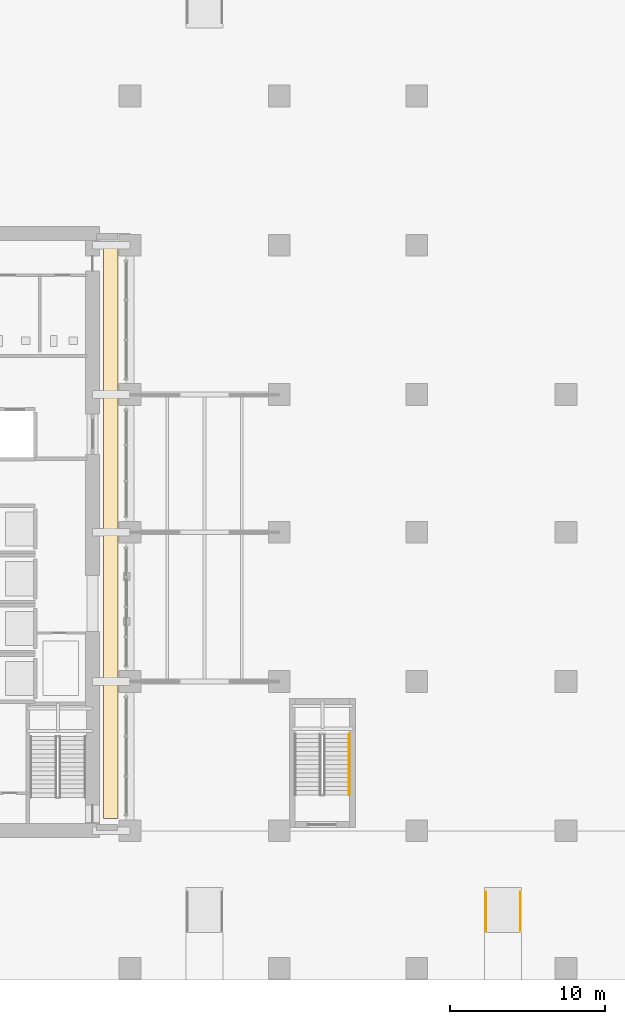
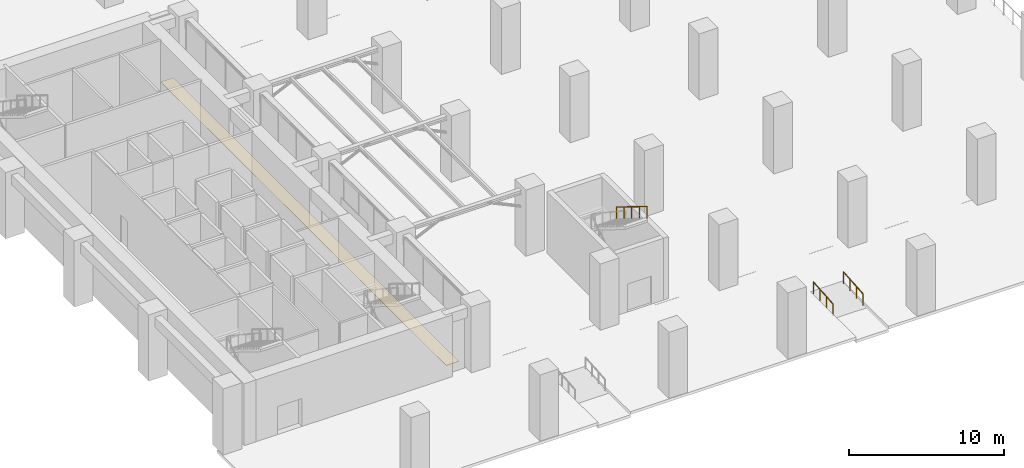
# One storey, part 18 of 24: 3 railings, 1 covering.
"""IFC4 building model written with IfcOpenShell, lengths in metres."""

import ifcopenshell
import ifcopenshell.guid

model = None  # the IFC model being written
_history = None  # IfcOwnerHistory: only IFC2X3 demands one
_inside = {}  # id of a spatial element -> (the spatial element, [elements in it])
_under = {}  # id of a project, library or spatial element -> (it, [spatial elements below it])
_declared = {}  # id of a project -> (the project, [libraries it declares])
_typed = {}  # id of a type object -> (the type object, [elements of that type])
_made_of = {}  # id of a material, layer set ... -> (it, [elements and type objects made of it])


def new_model(schema):
    """Start an empty IFC model of exactly this schema.

    Asked for "IFC4X3", IfcOpenShell would pick the latest addendum, in which some entities
    have other attributes; the version numbers below select the first issue.
    IFC2X3 requires an IfcOwnerHistory on every rooted entity: one is made here for all.
    """
    global model, _history
    if schema == "IFC4X3":
        model = ifcopenshell.file(schema_version=(4, 3, 0, 0))
    else:
        model = ifcopenshell.file(schema=schema)
    _inside.clear()
    _under.clear()
    _declared.clear()
    _typed.clear()
    _made_of.clear()
    _history = None
    if model.schema == "IFC2X3":
        org = make("IfcOrganization", Name="unknown")
        user = make(
            "IfcPersonAndOrganization",
            ThePerson=make("IfcPerson", FamilyName="unknown"),
            TheOrganization=org,
        )
        app = make(
            "IfcApplication",
            ApplicationDeveloper=org,
            Version="unknown",
            ApplicationFullName="unknown",
            ApplicationIdentifier="unknown",
        )
        _history = make(
            "IfcOwnerHistory",
            OwningUser=user,
            OwningApplication=app,
            ChangeAction="ADDED",
            CreationDate=0,
        )
    return model


def make(cls, **values):
    """One entity of the class cls with the attributes given. An attribute that is None is left unset."""
    return model.create_entity(
        cls, **{name: value for name, value in values.items() if value is not None}
    )


def rooted(cls, **values):
    """An entity with a GlobalId (a new one), such as an element, a storey or a relation."""
    return make(cls, GlobalId=ifcopenshell.guid.new(), OwnerHistory=_history, **values)


def si_unit(unit_type, name, prefix=None):
    """IfcSIUnit, for example si_unit("LENGTHUNIT", "METRE", prefix="MILLI")."""
    return make("IfcSIUnit", UnitType=unit_type, Prefix=prefix, Name=name)


def assignment(units):
    """IfcUnitAssignment: the units of a project."""
    return None if units is None else make("IfcUnitAssignment", Units=units)


def point(xyz):
    """IfcCartesianPoint."""
    return None if xyz is None else make("IfcCartesianPoint", Coordinates=xyz)


def direction(xyz):
    """IfcDirection."""
    return None if xyz is None else make("IfcDirection", DirectionRatios=xyz)


def frame(location, z_axis=None, x_axis=None):
    """IfcAxis2Placement3D, a coordinate frame: its origin and axes. An axis left out is left unset."""
    return make(
        "IfcAxis2Placement3D",
        Location=point(location),
        Axis=direction(z_axis),
        RefDirection=direction(x_axis),
    )


def frame_2d(location, x_axis=None):
    """IfcAxis2Placement2D, a coordinate frame in the plane: its origin and x axis."""
    return make(
        "IfcAxis2Placement2D", Location=point(location), RefDirection=direction(x_axis)
    )


def origin():
    """The frame at (0, 0, 0) with its axes left unset."""
    return frame((0.0, 0.0, 0.0))


def origin_2d():
    """The frame at (0, 0) in the plane with its x axis left unset."""
    return frame_2d((0.0, 0.0))


def place(relative_to, where):
    """IfcLocalPlacement: puts the frame where relative to a parent placement (None: the world)."""
    return make(
        "IfcLocalPlacement", PlacementRelTo=relative_to, RelativePlacement=where
    )


def context(
    kind, dimensions, precision=None, world=None, true_north=None, identifier=None
):
    """IfcGeometricRepresentationContext, for example the 3D "Model" context."""
    return make(
        "IfcGeometricRepresentationContext",
        ContextIdentifier=identifier,
        ContextType=kind,
        CoordinateSpaceDimension=dimensions,
        Precision=precision,
        WorldCoordinateSystem=world,
        TrueNorth=true_north,
    )


def subcontext(parent, identifier, kind, view, scale=None):
    """IfcGeometricRepresentationSubContext, for example "Body" below "Model"."""
    return make(
        "IfcGeometricRepresentationSubContext",
        ContextIdentifier=identifier,
        ContextType=kind,
        ParentContext=parent,
        TargetScale=scale,
        TargetView=view,
    )


def project(units=None, contexts=None):
    """IfcProject with its units and contexts."""
    return rooted(
        "IfcProject",
        Name="project",
        RepresentationContexts=contexts,
        UnitsInContext=assignment(units),
    )


def spatial(cls, under=None, at=None, **own):
    """A site, building, storey or space (cls), placed at a placement, below another one or the project."""
    s = rooted(cls, ObjectPlacement=at, **own)
    if under is not None:
        _under.setdefault(under.id(), (under, []))[1].append(s)
    return s


def polyline(points):
    """IfcPolyline through the points."""
    return make("IfcPolyline", Points=[point(p) for p in points])


def profile(cls, at=None, kind="AREA", **sizes):
    """A parametric profile (cls). Its sizes go by their IFC names, for example OverallWidth=200.0."""
    return make(cls, ProfileType=kind, Position=at, **sizes)


def circle(**sizes):
    """IfcCircleProfileDef."""
    return profile("IfcCircleProfileDef", **sizes)


def outline(outer, holes=None, kind="AREA"):
    """IfcArbitraryClosedProfileDef: a profile drawn as a closed curve; with holes, ...WithVoids."""
    if holes is None:
        return make("IfcArbitraryClosedProfileDef", ProfileType=kind, OuterCurve=outer)
    return make(
        "IfcArbitraryProfileDefWithVoids",
        ProfileType=kind,
        OuterCurve=outer,
        InnerCurves=holes,
    )


def extrude(swept, where, along, depth):
    """IfcExtrudedAreaSolid: the profile swept, set in the frame where, extruded along a direction by depth."""
    return make(
        "IfcExtrudedAreaSolid",
        SweptArea=swept,
        Position=where,
        ExtrudedDirection=direction(along),
        Depth=depth,
    )


def shape(context_of_items, identifier, shape_type, items):
    """IfcShapeRepresentation: the items that make up one representation, for example the "Body"."""
    return make(
        "IfcShapeRepresentation",
        ContextOfItems=context_of_items,
        RepresentationIdentifier=identifier,
        RepresentationType=shape_type,
        Items=items,
    )


def material(Name=None, Category=None):
    """IfcMaterial."""
    return make("IfcMaterial", Name=Name, Category=Category)


def layer(
    of_material, thickness, ventilated=None, Name=None, Category=None, Priority=None
):
    """IfcMaterialLayer: one layer of a wall or slab, of a material (None: an air gap)."""
    return make(
        "IfcMaterialLayer",
        Material=of_material,
        LayerThickness=thickness,
        IsVentilated=ventilated,
        Name=Name,
        Category=Category,
        Priority=Priority,
    )


def layer_set(layers, Name=None):
    """IfcMaterialLayerSet."""
    return make("IfcMaterialLayerSet", MaterialLayers=layers, LayerSetName=Name)


def made_of(thing, what):
    """Note that an element or type object is made of a material, layer set ...; save() writes the relation."""
    if what is not None:
        _made_of.setdefault(what.id(), (what, []))[1].append(thing)
    return thing


def type_object(cls, material=None, **own):
    """A type object (cls), such as IfcWallType, which elements share."""
    return made_of(rooted(cls, **own), material)


def element(
    cls,
    number,
    at=None,
    inside=None,
    cuts=None,
    type_object=None,
    material=None,
    context=None,
    identifier="Body",
    shape_type=None,
    held_by="IfcProductDefinitionShape",
    body=None,
    shapes=None,
    **own,
):
    """One element of the class cls, such as IfcWall. Its Tag is "e" and its number.

    at: its placement. inside: the storey or other place that contains it. cuts: it is an
    opening in that element (IfcRelVoidsElement). A single representation is given by context,
    identifier, shape_type and body (its items); several are given by shapes. held_by: the class
    of the entity that holds the representations. save() writes the other relations.
    """
    e = rooted(cls, Tag="e%d" % number, ObjectPlacement=at, **own)
    if body is not None:
        shapes = [shape(context, identifier, shape_type, body)]
    if shapes is not None:
        e.Representation = make(held_by, Representations=shapes)
    if inside is not None:
        _inside.setdefault(inside.id(), (inside, []))[1].append(e)
    if cuts is not None:
        rooted(
            "IfcRelVoidsElement", RelatingBuildingElement=cuts, RelatedOpeningElement=e
        )
    if type_object is not None:
        _typed.setdefault(type_object.id(), (type_object, []))[1].append(e)
    return made_of(e, material)


def aggregate(whole, parts):
    """IfcRelAggregates: a whole, such as a stair, and the parts it consists of."""
    return rooted("IfcRelAggregates", RelatingObject=whole, RelatedObjects=parts)


def save(model, path):
    """Write the relations noted so far, then the file.

    IfcRelAggregates (storeys below a building ...), IfcRelContainedInSpatialStructure (elements
    in a storey), IfcRelDefinesByType, IfcRelAssociatesMaterial and IfcRelDeclares: one each for
    every whole, place, type object, material and project.
    """
    for whole, parts in _under.values():
        aggregate(whole, parts)
    for where, things in _inside.values():
        rooted(
            "IfcRelContainedInSpatialStructure",
            RelatedElements=things,
            RelatingStructure=where,
        )
    for kind, things in _typed.values():
        rooted("IfcRelDefinesByType", RelatedObjects=things, RelatingType=kind)
    for what, things in _made_of.values():
        rooted("IfcRelAssociatesMaterial", RelatedObjects=things, RelatingMaterial=what)
    for by, libraries in _declared.values():
        rooted("IfcRelDeclares", RelatingContext=by, RelatedDefinitions=libraries)
    model.write(path)


model = new_model("IFC4")

# Units and contexts
model_context = context("Model", 3, precision=1e-05, world=origin(), true_north=direction((0.0, 1.0)))
body_context = subcontext(model_context, "Body", "Model", "MODEL_VIEW")
ifc_project = project(units=[si_unit("LENGTHUNIT", "METRE"), si_unit("AREAUNIT", "SQUARE_METRE"), si_unit("VOLUMEUNIT", "CUBIC_METRE"), si_unit("PLANEANGLEUNIT", "RADIAN"), si_unit("MASSUNIT", "GRAM", prefix="KILO")], contexts=[model_context])

# Site, building, storey
site_placement = place(None, origin())
site = spatial("IfcSite", under=ifc_project, at=site_placement, CompositionType="ELEMENT")
building_placement = place(site_placement, origin())
building = spatial("IfcBuilding", under=site, at=building_placement, Name="Norrvale University Quadrangle", CompositionType="ELEMENT")
storey_placement = place(building_placement, origin())
storey = spatial("IfcBuildingStorey", under=building, at=storey_placement, Name="L00", CompositionType="ELEMENT", Elevation=0.0)

# Covering
ifc_material_1 = material(Name="Polished Terrazzo Flooring")
ifc_layer = layer(ifc_material_1, 0.02490234375, Name="Polished Terrazzo Flooring")
ifc_layer_set = layer_set([ifc_layer], Name="Polished Terrazzo Flooring")
covering_type = type_object("IfcCoveringType", Name="Covering Terrazzo Floor 30", PredefinedType="FLOORING", material=ifc_layer_set)
covering_placement = place(storey_placement, origin())
element("IfcCovering", 1, at=covering_placement, inside=storey, type_object=covering_type, Name="Terrazzo Flooring RM-L00-CONC", PredefinedType="FLOORING", context=body_context, shape_type="SweptSolid", body=[
    extrude(outline(polyline([(17.5, 10.39990234375), (17.5, 47.199951171875), (18.449951171875, 47.199951171875), (18.449951171875, 10.39990234375), (17.5, 10.39990234375)])), origin(), (0.0, 0.0, 1.0), 0.02490234375),
])

# Railings
ifc_material_2 = material(Name="Stainless Steel 316L Handrail", Category="steel")
railing_type = type_object("IfcRailingType", Name="Railing Stair Handrail 920", PredefinedType="HANDRAIL", material=ifc_material_2)
for number, where, name in (
    (2, (42.080078125, 3.1201171875, -0.219970703125), "Accessible Plaza Ramp Handrail S2-L"),
    (3, (44.320068359375, 3.1201171875, -0.219970703125), "Accessible Plaza Ramp Handrail S2-R"),
):
    element("IfcRailing", number, at=place(storey_placement, frame(where)), inside=storey, type_object=railing_type, Name=name, PredefinedType="HANDRAIL", context=body_context, shape_type="SweptSolid", body=[
        extrude(circle(Radius=0.02392578125, at=origin_2d()), frame((0.0, 0.0, 0.89599609375), z_axis=(0.0, 0.996866359815, 0.079104112846), x_axis=(-1.0, 0.0, 0.0)), (0.0, 0.0, 1.0), 2.527587890625),
        extrude(circle(Radius=0.02099609375, at=origin_2d()), origin(), (0.0, 0.0, 1.0), 0.871826171875),
        extrude(circle(Radius=0.02099609375, at=origin_2d()), frame((0.0, 0.83984375, 0.066650390625)), (0.0, 0.0, 1.0), 0.871826171875),
        extrude(circle(Radius=0.02099609375, at=origin_2d()), frame((0.0, 1.679931640625, 0.13330078125)), (0.0, 0.0, 1.0), 0.871826171875),
        extrude(circle(Radius=0.02099609375, at=origin_2d()), frame((0.0, 2.519775390625, 0.199951171875)), (0.0, 0.0, 1.0), 0.871826171875),
    ])
railing_placement = place(storey_placement, frame((33.31005859375, 15.820068359375, 2.773193359375)))
element("IfcRailing", 4, at=railing_placement, inside=storey, type_object=railing_type, Name="Stair Upper Flight Handrail ST-04 L00", PredefinedType="HANDRAIL", context=body_context, shape_type="SweptSolid", body=[
    extrude(circle(Radius=0.02392578125, at=origin_2d()), frame((0.0, 0.0, 0.89599609375), z_axis=(0.0, -0.850266275192, 0.526352791643), x_axis=(1.0, 0.0, 0.0)), (0.0, 0.0, 1.0), 4.610595703125),
    extrude(circle(Radius=0.02099609375, at=origin_2d()), origin(), (0.0, 0.0, 1.0), 0.871826171875),
    extrude(circle(Radius=0.02099609375, at=origin_2d()), frame((0.0, -0.97998046875, 0.606689453125)), (0.0, 0.0, 1.0), 0.871826171875),
    extrude(circle(Radius=0.02099609375, at=origin_2d()), frame((0.0, -1.9599609375, 1.21337890625)), (0.0, 0.0, 1.0), 0.871826171875),
    extrude(circle(Radius=0.02099609375, at=origin_2d()), frame((0.0, -2.940185546875, 1.820068359375)), (0.0, 0.0, 1.0), 0.871826171875),
    extrude(circle(Radius=0.02099609375, at=origin_2d()), frame((0.0, -3.920166015625, 2.4267578125)), (0.0, 0.0, 1.0), 0.871826171875),
])

save(model, "model.ifc")
